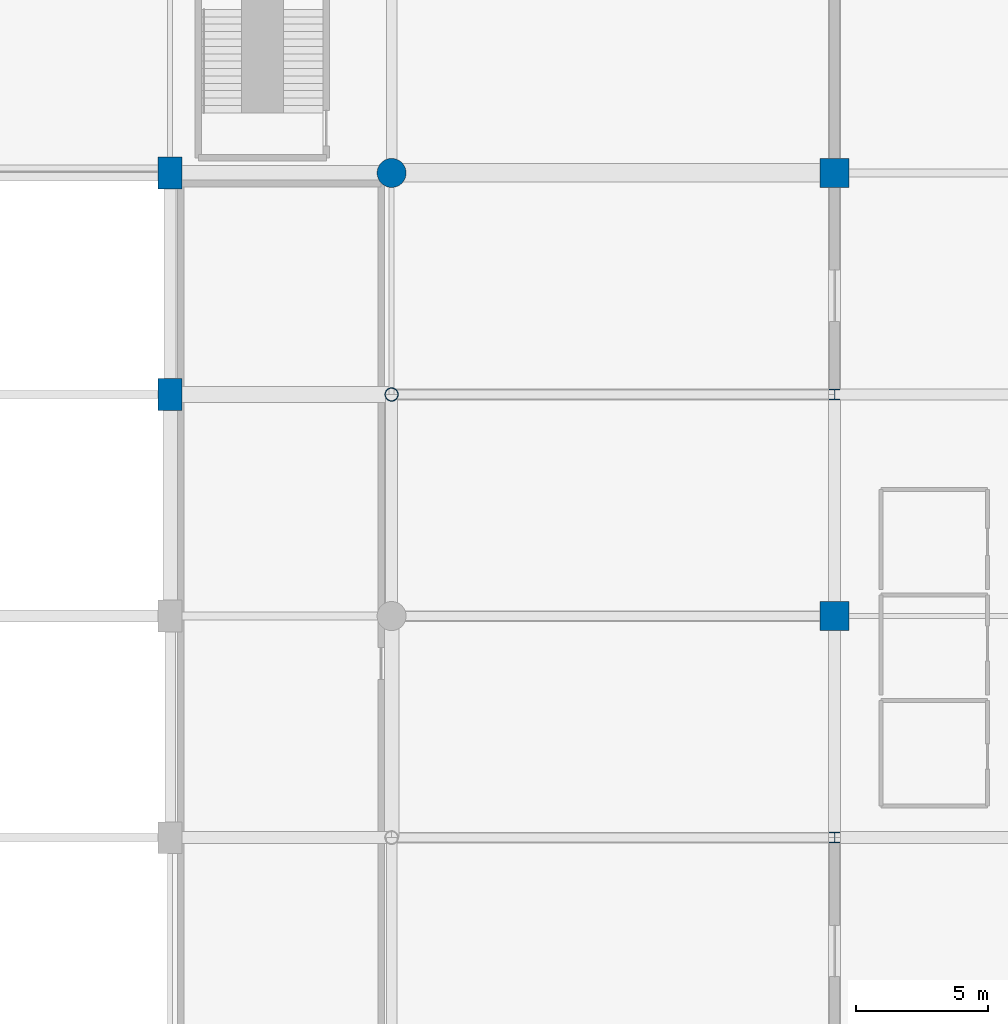
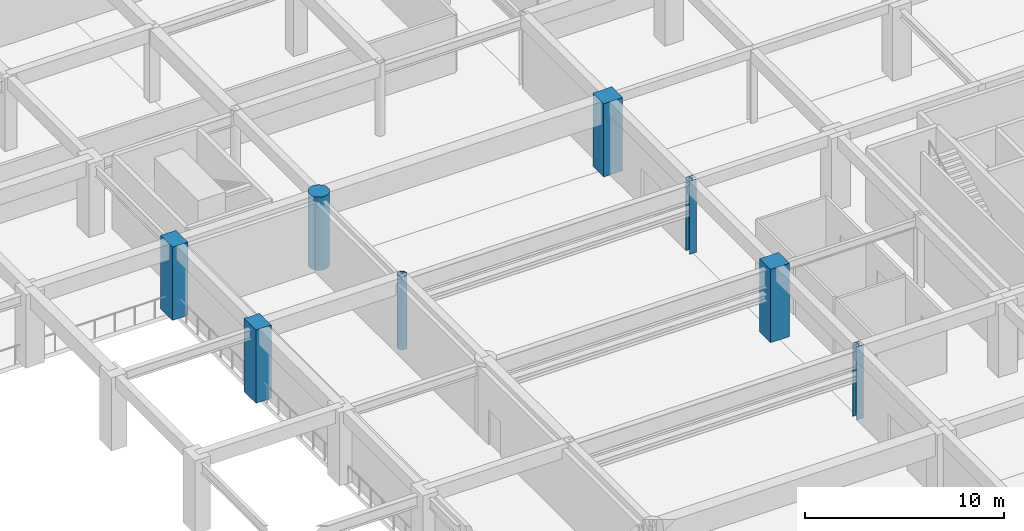
# One storey, part 4 of 56: 8 columns.
"""IFC4 building model written with IfcOpenShell, lengths in metres."""

from ifc_helpers import new_model, si_unit, direction, frame, origin, origin_2d, place, context, subcontext, project, spatial, rectangle, circle, hollow_circle, i_section, extrude, material, material_profile, profile_set, type_object, element, save


model = new_model("IFC4")

# Units and contexts
model_context = context("Model", 3, precision=1e-05, world=origin(), true_north=direction((0.0, 1.0)))
body_context = subcontext(model_context, "Body", "Model", "MODEL_VIEW")
ifc_project = project(units=[si_unit("LENGTHUNIT", "METRE"), si_unit("AREAUNIT", "SQUARE_METRE"), si_unit("VOLUMEUNIT", "CUBIC_METRE"), si_unit("PLANEANGLEUNIT", "RADIAN"), si_unit("MASSUNIT", "GRAM", prefix="KILO")], contexts=[model_context])

# Site, building, storey
site_placement = place(None, origin())
site = spatial("IfcSite", under=ifc_project, at=site_placement, CompositionType="ELEMENT")
building_placement = place(site_placement, origin())
building = spatial("IfcBuilding", under=site, at=building_placement, Name="Xuanlan Plaza Opera House", CompositionType="ELEMENT")
storey_placement = place(building_placement, frame((0.0, 0.0, 18.89990234375)))
storey = spatial("IfcBuildingStorey", under=building, at=storey_placement, Name="L04", CompositionType="ELEMENT", Elevation=18.89990234375)

# Columns
ifc_material_1 = material(Name="Concrete C50", Category="concrete")
ifc_material_profile_1 = material_profile(ifc_material_1, rectangle(XDim=1.10009765625, YDim=1.10009765625, at=origin_2d()), Name="RC-COL 1100x1100")
ifc_profile_set_1 = profile_set([ifc_material_profile_1], Name="Concrete C50")
column_type_1 = type_object("IfcColumnType", Name="STR-COL-C-03", PredefinedType="COLUMN", material=ifc_profile_set_1)
for number, where, z_axis, x_axis, name in (
    (1, (126.0, 58.800048828125, 0.0), (0.0, 0.0, 1.0), (1.0, 0.0, 0.0), "Column L04 16-H"),
    (2, (126.0, 75.60009765625, 0.0), (0.0, 0.0, 1.0), (1.0, 0.0, 0.0), "Column L04 16-J"),
):
    element("IfcColumn", number, at=place(storey_placement, frame(where, z_axis=z_axis, x_axis=x_axis)), inside=storey, type_object=column_type_1, Name=name, PredefinedType="COLUMN", context=body_context, shape_type="SweptSolid", body=[
        extrude(rectangle(XDim=1.10009765625, YDim=1.10009765625, at=origin_2d()), origin(), (0.0, 0.0, 1.0), 4.5),
    ])
ifc_material_profile_2 = material_profile(ifc_material_1, rectangle(XDim=0.89990234375, YDim=1.199951171875, at=origin_2d()), Name="RC-COL 900x1200")
ifc_profile_set_2 = profile_set([ifc_material_profile_2], Name="Concrete C50")
column_type_2 = type_object("IfcColumnType", Name="STR-COL-C-10", PredefinedType="COLUMN", material=ifc_profile_set_2)
for number, where, z_axis, x_axis, name in (
    (3, (100.800048828125, 67.199951171875, 0.0), (0.0, 0.0, 1.0), (1.0, 0.0, 0.0), "Column L04 13-I"),
    (4, (100.800048828125, 75.60009765625, 0.0), (0.0, 0.0, 1.0), (1.0, 0.0, 0.0), "Column L04 13-J"),
):
    element("IfcColumn", number, at=place(storey_placement, frame(where, z_axis=z_axis, x_axis=x_axis)), inside=storey, type_object=column_type_2, Name=name, PredefinedType="COLUMN", context=body_context, shape_type="SweptSolid", body=[
        extrude(rectangle(XDim=0.89990234375, YDim=1.199951171875, at=origin_2d()), origin(), (0.0, 0.0, 1.0), 4.5),
    ])
ifc_material_profile_3 = material_profile(ifc_material_1, circle(Radius=0.550048828125, at=origin_2d()), Name="RC-COL D1100")
ifc_profile_set_3 = profile_set([ifc_material_profile_3], Name="Concrete C50")
column_type_3 = type_object("IfcColumnType", Name="STR-COL-C-11", PredefinedType="COLUMN", material=ifc_profile_set_3)
column_1_placement = place(storey_placement, frame((109.199951171875, 75.60009765625, 0.0), z_axis=(0.0, 0.0, 1.0), x_axis=(1.0, 0.0, 0.0)))
element("IfcColumn", 5, at=column_1_placement, inside=storey, type_object=column_type_3, Name="Column L04 14-J", PredefinedType="COLUMN", context=body_context, shape_type="SweptSolid", body=[
    extrude(circle(Radius=0.550048828125, at=origin_2d()), origin(), (0.0, 0.0, 1.0), 4.5),
])
ifc_material_2 = material(Name="Steel Q355B", Category="steel")
ifc_material_profile_4 = material_profile(ifc_material_2, i_section(OverallWidth=0.39990234375, OverallDepth=0.39990234375, WebThickness=0.012939453125, FlangeThickness=0.02099609375, FilletRadius=0.02197265625, at=origin_2d()), Name="HW 400x400x13x21")
ifc_profile_set_4 = profile_set([ifc_material_profile_4], Name="Steel Q355B")
column_type_4 = type_object("IfcColumnType", Name="STR-COL-C-14", PredefinedType="COLUMN", material=ifc_profile_set_4)
for number, where, z_axis, x_axis, name in (
    (6, (126.0, 50.39990234375, 0.0), (0.0, 0.0, 1.0), (1.0, 0.0, 0.0), "Column L04 16-G"),
    (7, (126.0, 67.199951171875, 0.0), (0.0, 0.0, 1.0), (1.0, 0.0, 0.0), "Column L04 16-I"),
):
    element("IfcColumn", number, at=place(storey_placement, frame(where, z_axis=z_axis, x_axis=x_axis)), inside=storey, type_object=column_type_4, Name=name, PredefinedType="COLUMN", context=body_context, shape_type="SweptSolid", body=[
        extrude(i_section(OverallWidth=0.39990234375, OverallDepth=0.39990234375, WebThickness=0.012939453125, FlangeThickness=0.02099609375, FilletRadius=0.02197265625, at=origin_2d()), origin(), (0.0, 0.0, 1.0), 4.5),
    ])
ifc_material_profile_5 = material_profile(ifc_material_2, hollow_circle(Radius=0.25390625, WallThickness=0.02001953125, at=origin_2d()), Name="CHS 508x20")
ifc_profile_set_5 = profile_set([ifc_material_profile_5], Name="Steel Q355B")
column_type_5 = type_object("IfcColumnType", Name="STR-COL-C-16", PredefinedType="COLUMN", material=ifc_profile_set_5)
column_2_placement = place(storey_placement, frame((109.199951171875, 67.199951171875, 0.0), z_axis=(0.0, 0.0, 1.0), x_axis=(1.0, 0.0, 0.0)))
element("IfcColumn", 8, at=column_2_placement, inside=storey, type_object=column_type_5, Name="Column L04 14-I", PredefinedType="COLUMN", context=body_context, shape_type="SweptSolid", body=[
    extrude(hollow_circle(Radius=0.25390625, WallThickness=0.02001953125, at=origin_2d()), origin(), (0.0, 0.0, 1.0), 4.5),
])

save(model, "model.ifc")
